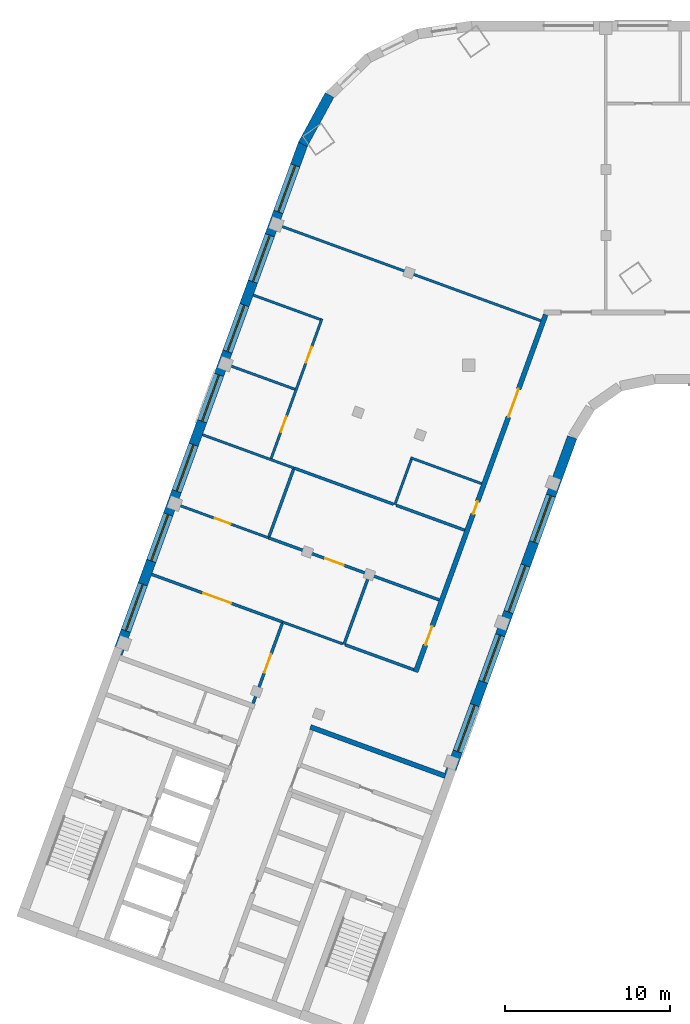
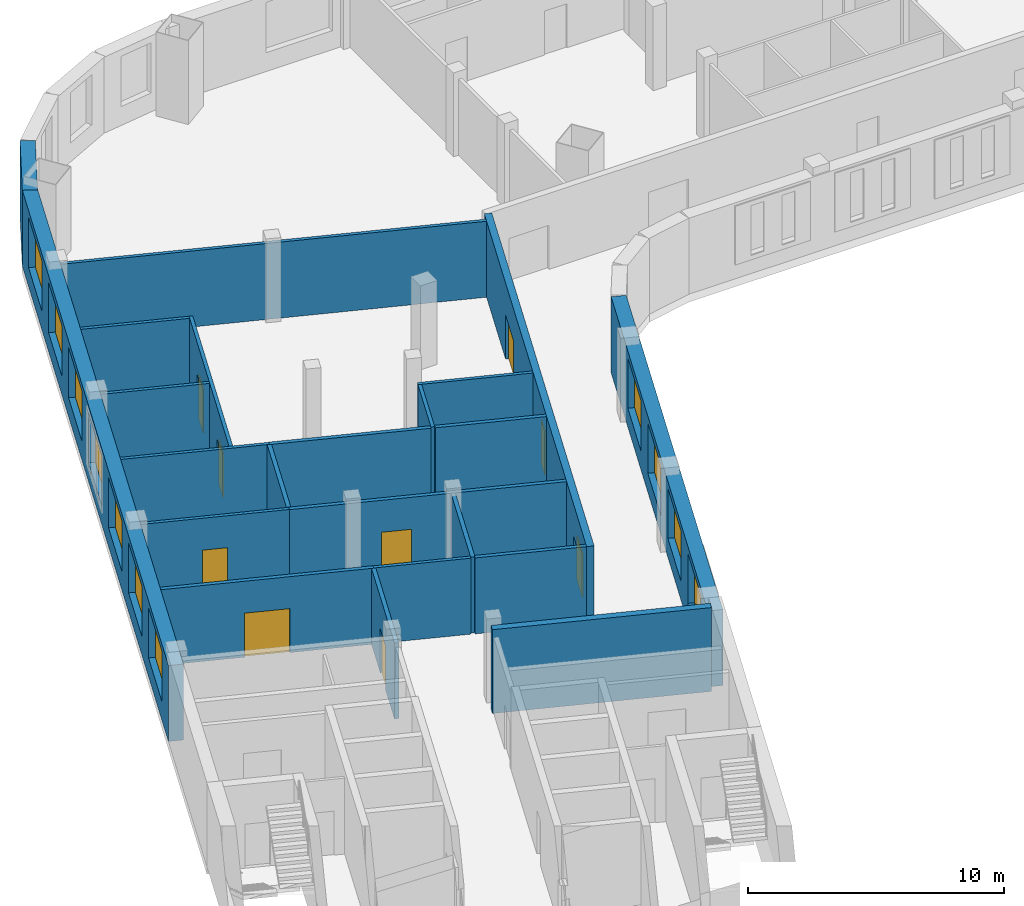
# One storey, part 3 of 8: 22 walls, 11 windows, 9 doors, 20 openings.
"""IFC4 building model written with IfcOpenShell, lengths in metres."""

from ifc_helpers import new_model, si_unit, direction, frame, frame_2d, origin, place, context, subcontext, project, spatial, rectangle, extrude, material, layer, layer_set, type_object, element, fill, save


model = new_model("IFC4")

# Units and contexts
model_context = context("Model", 3, precision=1e-05, world=origin(), true_north=direction((0.0, 1.0)))
body_context = subcontext(model_context, "Body", "Model", "MODEL_VIEW")
ifc_project = project(units=[si_unit("LENGTHUNIT", "METRE"), si_unit("AREAUNIT", "SQUARE_METRE"), si_unit("VOLUMEUNIT", "CUBIC_METRE"), si_unit("PLANEANGLEUNIT", "RADIAN"), si_unit("MASSUNIT", "GRAM", prefix="KILO")], contexts=[model_context])

# Site, building, storey
site_placement = place(None, origin())
site = spatial("IfcSite", under=ifc_project, at=site_placement, CompositionType="ELEMENT")
building_placement = place(site_placement, origin())
building = spatial("IfcBuilding", under=site, at=building_placement, Name="Skarvind Civic Tower", CompositionType="ELEMENT")
storey_placement = place(building_placement, frame((0.0, 0.0, 208.0)))
storey = spatial("IfcBuildingStorey", under=building, at=storey_placement, Name="L49", CompositionType="ELEMENT", Elevation=208.0)

# Wall, opening, door
ifc_material_1 = material(Name="Acoustic gypsum board on steel studs", Category="steel")
ifc_layer_1 = layer(ifc_material_1, 0.175048828125)
ifc_layer_set_1 = layer_set([ifc_layer_1], Name="ACOUSTIC MEETING-ROOM PARTITION 175")
wall_type_1 = type_object("IfcWallType", Name="ACOUSTIC MEETING-ROOM PARTITION 175", PredefinedType="PARTITIONING", material=ifc_layer_set_1)
wall_1_placement = place(storey_placement, frame((34.677001953125, 102.590087890625, 0.0), z_axis=(0.0, 0.0, 1.0), x_axis=(-0.939706509432, 0.341981982173, 0.0)))
wall_1 = element("IfcWall", 1, at=wall_1_placement, inside=storey, type_object=wall_type_1, Name="Partition 49.001", PredefinedType="PARTITIONING", context=body_context, shape_type="SweptSolid", body=[
    extrude(rectangle(XDim=8.450439453125, YDim=0.175048828125, at=frame_2d((4.22509765625, 0.0))), origin(), (0.0, 0.0, 1.0), 3.625),
])
opening_1_placement = place(wall_1_placement, frame((3.32373046875, 0.0, 0.0)))
opening_1 = element("IfcOpeningElement", 2, at=opening_1_placement, cuts=wall_1, Name="Opening L49-D017", PredefinedType="OPENING", context=body_context, shape_type="SweptSolid", body=[
    extrude(rectangle(XDim=1.800048828125, YDim=2.10009765625, at=frame_2d((0.89990234375, 1.050048828125))), frame((0.0, 0.097412109375, 0.0), z_axis=(0.0, -1.0, 0.0), x_axis=(1.0, 0.0, 0.0)), (0.0, 0.0, 1.0), 0.195068359375),
])
ifc_material_2 = material(Name="Timber door leaf", Category="wood")
door_type_1 = type_object("IfcDoorType", Name="D4 1800x2100", OperationType="NOTDEFINED", PredefinedType="DOOR", material=ifc_material_2)
door_1_placement = place(opening_1_placement, origin())
door_1 = element("IfcDoor", 3, at=door_1_placement, inside=storey, type_object=door_type_1, Name="Door L49-D017", OperationType="DOUBLE_DOOR_SINGLE_SWING", OverallHeight=2.10009765625, OverallWidth=1.800048828125, PredefinedType="DOOR", context=body_context, shape_type="SweptSolid", body=[
    extrude(rectangle(XDim=1.800048828125, YDim=2.10009765625, at=frame_2d((0.89990234375, 1.050048828125))), frame((0.0, 0.02490234375, 0.0), z_axis=(0.0, -1.0, 0.0), x_axis=(1.0, 0.0, 0.0)), (0.0, 0.0, 1.0), 0.050048828125),
])
fill(opening_1, door_1)

wall_2_placement = place(storey_placement, frame((44.156005859375, 103.928955078125, 0.0), z_axis=(0.0, 0.0, 1.0), x_axis=(-0.939703317948, 0.341990751683, 0.0)))
wall_2 = element("IfcWall", 4, at=wall_2_placement, inside=storey, type_object=wall_type_1, Name="Partition 49.006", PredefinedType="PARTITIONING", context=body_context, shape_type="SweptSolid", body=[
    extrude(rectangle(XDim=11.000244140625, YDim=0.175048828125, at=frame_2d((5.5, 0.0))), origin(), (0.0, 0.0, 1.0), 3.625),
])
opening_2_placement = place(wall_2_placement, frame((6.148681640625, 0.0, 0.0)))
opening_2 = element("IfcOpeningElement", 5, at=opening_2_placement, cuts=wall_2, Name="Opening L49-D023", PredefinedType="OPENING", context=body_context, shape_type="SweptSolid", body=[
    extrude(rectangle(XDim=1.199951171875, YDim=2.10009765625, at=frame_2d((0.60009765625, 1.050048828125))), frame((0.0, 0.097412109375, 0.0), z_axis=(0.0, -1.0, 0.0), x_axis=(1.0, 0.0, 0.0)), (0.0, 0.0, 1.0), 0.195068359375),
])
door_type_2 = type_object("IfcDoorType", Name="DOOR 1200X2100 DOUBLE TIMBER", OperationType="NOTDEFINED", PredefinedType="DOOR", material=ifc_material_2)
door_2_placement = place(opening_2_placement, origin())
door_2 = element("IfcDoor", 6, at=door_2_placement, inside=storey, type_object=door_type_2, Name="Door L49-D023", OperationType="DOUBLE_DOOR_SINGLE_SWING", OverallHeight=2.10009765625, OverallWidth=1.199951171875, PredefinedType="DOOR", context=body_context, shape_type="SweptSolid", body=[
    extrude(rectangle(XDim=1.199951171875, YDim=2.10009765625, at=frame_2d((0.60009765625, 1.050048828125))), frame((0.0, 0.02490234375, 0.0), z_axis=(0.0, -1.0, 0.0), x_axis=(1.0, 0.0, 0.0)), (0.0, 0.0, 1.0), 0.050048828125),
])
fill(opening_2, door_2)

wall_3_placement = place(storey_placement, frame((32.881103515625, 97.656982421875, 0.0), z_axis=(0.0, 0.0, 1.0), x_axis=(0.342058204353, 0.939678766832, 0.0)))
wall_3 = element("IfcWall", 7, at=wall_3_placement, inside=storey, type_object=wall_type_1, Name="Partition 49.008", PredefinedType="PARTITIONING", context=body_context, shape_type="SweptSolid", body=[
    extrude(rectangle(XDim=5.16259765625, YDim=0.175048828125, at=frame_2d((2.581298828125, 0.0))), origin(), (0.0, 0.0, 1.0), 3.625),
])
opening_3_placement = place(wall_3_placement, frame((1.9912109375, 0.0, 0.0)))
opening_3 = element("IfcOpeningElement", 8, at=opening_3_placement, cuts=wall_3, Name="Opening L49-D014", PredefinedType="OPENING", context=body_context, shape_type="SweptSolid", body=[
    extrude(rectangle(XDim=1.199951171875, YDim=2.10009765625, at=frame_2d((0.60009765625, 1.050048828125))), frame((0.0, 0.097412109375, 0.0), z_axis=(0.0, -1.0, 0.0), x_axis=(1.0, 0.0, 0.0)), (0.0, 0.0, 1.0), 0.195068359375),
])
door_3_placement = place(opening_3_placement, origin())
door_3 = element("IfcDoor", 9, at=door_3_placement, inside=storey, type_object=door_type_2, Name="Door L49-D014", OperationType="DOUBLE_DOOR_SINGLE_SWING", OverallHeight=2.10009765625, OverallWidth=1.199951171875, PredefinedType="DOOR", context=body_context, shape_type="SweptSolid", body=[
    extrude(rectangle(XDim=1.199951171875, YDim=2.10009765625, at=frame_2d((0.60009765625, 1.050048828125))), frame((0.0, 0.02490234375, 0.0), z_axis=(0.0, -1.0, 0.0), x_axis=(1.0, 0.0, 0.0)), (0.0, 0.0, 1.0), 0.050048828125),
])
fill(opening_3, door_3)

# Walls
wall_4_placement = place(storey_placement, frame((35.3291015625, 111.837890625, 0.0), z_axis=(0.0, 0.0, 1.0), x_axis=(-0.342114607243, -0.939658233355, 0.0)))
element("IfcWall", 10, at=wall_4_placement, inside=storey, type_object=wall_type_1, Name="Partition 49.010", PredefinedType="PARTITIONING", context=body_context, shape_type="SweptSolid", body=[
    extrude(rectangle(XDim=4.325927734375, YDim=0.175048828125, at=frame_2d((2.1630859375, 0.0))), origin(), (0.0, 0.0, 1.0), 3.625),
])
wall_5_placement = place(storey_placement, frame((38.455078125, 101.214111328125, 0.0), z_axis=(0.0, 0.0, 1.0), x_axis=(0.939738687483, -0.341893549585, 0.0)))
element("IfcWall", 11, at=wall_5_placement, inside=storey, type_object=wall_type_1, Name="Partition 49.012", PredefinedType="PARTITIONING", context=body_context, shape_type="SweptSolid", body=[
    extrude(rectangle(XDim=4.4287109375, YDim=0.175048828125, at=frame_2d((2.21435546875, 0.0))), origin(), (0.0, 0.0, 1.0), 3.625),
])
wall_6_placement = place(storey_placement, frame((39.89697265625, 105.385986328125, 0.0), z_axis=(0.0, 0.0, 1.0), x_axis=(-0.341951828534, -0.939717482524, 0.0)))
element("IfcWall", 12, at=wall_6_placement, inside=storey, type_object=wall_type_1, Name="Partition 49.013", PredefinedType="PARTITIONING", context=body_context, shape_type="SweptSolid", body=[
    extrude(rectangle(XDim=4.4130859375, YDim=0.175048828125, at=frame_2d((2.20654296875, 0.0))), origin(), (0.0, 0.0, 1.0), 3.625),
])
wall_7_placement = place(storey_placement, frame((41.5458984375, 109.6669921875, 0.0), z_axis=(0.0, 0.0, 1.0), x_axis=(0.939704600082, -0.341987228685, 0.0)))
element("IfcWall", 13, at=wall_7_placement, inside=storey, type_object=wall_type_1, Name="Partition 49.014", PredefinedType="PARTITIONING", context=body_context, shape_type="SweptSolid", body=[
    extrude(rectangle(XDim=4.415283203125, YDim=0.175048828125, at=frame_2d((2.20751953125, 0.0))), origin(), (0.0, 0.0, 1.0), 3.625),
])
wall_8_placement = place(storey_placement, frame((41.387939453125, 109.72607421875, 0.0), z_axis=(0.0, 0.0, 1.0), x_axis=(-0.939720073348, 0.341944708609, 0.0)))
element("IfcWall", 14, at=wall_8_placement, inside=storey, type_object=wall_type_1, Name="Partition 49.015", PredefinedType="PARTITIONING", context=body_context, shape_type="SweptSolid", body=[
    extrude(rectangle(XDim=6.415771484375, YDim=0.175048828125, at=frame_2d((3.2080078125, 0.0))), origin(), (0.0, 0.0, 1.0), 3.625),
])

# Wall, openings, doors
ifc_material_3 = material(Name="Fire-rated gypsum board on steel studs", Category="steel")
ifc_layer_2 = layer(ifc_material_3, 0.300048828125)
ifc_layer_set_2 = layer_set([ifc_layer_2], Name="CORRIDOR WALL 300")
wall_type_2 = type_object("IfcWallType", Name="CORRIDOR WALL 300", PredefinedType="PARTITIONING", material=ifc_layer_set_2)
wall_9_placement = place(storey_placement, frame((42.72802734375, 99.56689453125, 0.0), z_axis=(0.0, 0.0, 1.0), x_axis=(0.342015412648, 0.939694342598, 0.0)))
wall_9 = element("IfcWall", 15, at=wall_9_placement, inside=storey, type_object=wall_type_2, Name="Partition 49.017", PredefinedType="PARTITIONING", context=body_context, shape_type="SweptSolid", body=[
    extrude(rectangle(XDim=23.031005859375, YDim=0.300048828125, at=frame_2d((11.515625, 0.0))), origin(), (0.0, 0.0, 1.0), 3.625),
])
opening_4_placement = place(wall_9_placement, frame((1.737548828125, 0.0, 0.0)))
opening_4 = element("IfcOpeningElement", 16, at=opening_4_placement, cuts=wall_9, Name="Opening L49-D015", PredefinedType="OPENING", context=body_context, shape_type="SweptSolid", body=[
    extrude(rectangle(XDim=1.199951171875, YDim=2.10009765625, at=frame_2d((0.60009765625, 1.050048828125))), frame((0.0, 0.159912109375, 0.0), z_axis=(0.0, -1.0, 0.0), x_axis=(1.0, 0.0, 0.0)), (0.0, 0.0, 1.0), 0.320068359375),
])
opening_5_placement = place(wall_9_placement, frame((10.18701171875, 0.0, 0.0)))
opening_5 = element("IfcOpeningElement", 17, at=opening_5_placement, cuts=wall_9, Name="Opening L49-D018", PredefinedType="OPENING", context=body_context, shape_type="SweptSolid", body=[
    extrude(rectangle(XDim=0.800048828125, YDim=2.10009765625, at=frame_2d((0.39990234375, 1.050048828125))), frame((0.0, 0.159912109375, 0.0), z_axis=(0.0, -1.0, 0.0), x_axis=(1.0, 0.0, 0.0)), (0.0, 0.0, 1.0), 0.320068359375),
])
opening_6_placement = place(wall_9_placement, frame((16.43701171875, 0.0, 0.0)))
opening_6 = element("IfcOpeningElement", 18, at=opening_6_placement, cuts=wall_9, Name="Opening L49-D021", PredefinedType="OPENING", context=body_context, shape_type="SweptSolid", body=[
    extrude(rectangle(XDim=1.800048828125, YDim=2.10009765625, at=frame_2d((0.89990234375, 1.050048828125))), frame((0.0, 0.159912109375, 0.0), z_axis=(0.0, -1.0, 0.0), x_axis=(1.0, 0.0, 0.0)), (0.0, 0.0, 1.0), 0.320068359375),
])
ifc_material_4 = material(Name="Fire-rated timber door leaf", Category="wood")
door_type_3 = type_object("IfcDoorType", Name="FD4 1800x2100", OperationType="NOTDEFINED", PredefinedType="DOOR", material=ifc_material_4)
door_4_placement = place(opening_6_placement, origin())
door_4 = element("IfcDoor", 19, at=door_4_placement, inside=storey, type_object=door_type_3, Name="Door L49-D021", OperationType="DOUBLE_DOOR_SINGLE_SWING", OverallHeight=2.10009765625, OverallWidth=1.800048828125, PredefinedType="DOOR", context=body_context, shape_type="SweptSolid", body=[
    extrude(rectangle(XDim=1.800048828125, YDim=2.10009765625, at=frame_2d((0.89990234375, 1.050048828125))), frame((0.0, 0.02490234375, 0.0), z_axis=(0.0, -1.0, 0.0), x_axis=(1.0, 0.0, 0.0)), (0.0, 0.0, 1.0), 0.050048828125),
])
fill(opening_6, door_4)
door_type_4 = type_object("IfcDoorType", Name="FD5 800x2100", OperationType="NOTDEFINED", PredefinedType="DOOR", material=ifc_material_4)
door_5_placement = place(opening_5_placement, origin())
door_5 = element("IfcDoor", 20, at=door_5_placement, inside=storey, type_object=door_type_4, Name="Door L49-D018", OperationType="SINGLE_SWING_LEFT", OverallHeight=2.10009765625, OverallWidth=0.800048828125, PredefinedType="DOOR", context=body_context, shape_type="SweptSolid", body=[
    extrude(rectangle(XDim=0.800048828125, YDim=2.10009765625, at=frame_2d((0.39990234375, 1.050048828125))), frame((0.0, 0.02490234375, 0.0), z_axis=(0.0, -1.0, 0.0), x_axis=(1.0, 0.0, 0.0)), (0.0, 0.0, 1.0), 0.050048828125),
])
fill(opening_5, door_5)
door_type_5 = type_object("IfcDoorType", Name="FD6 1200x2100 DOUBLE", OperationType="NOTDEFINED", PredefinedType="DOOR", material=ifc_material_4)
door_6_placement = place(opening_4_placement, origin())
door_6 = element("IfcDoor", 21, at=door_6_placement, inside=storey, type_object=door_type_5, Name="Door L49-D015", OperationType="DOUBLE_DOOR_SINGLE_SWING", OverallHeight=2.10009765625, OverallWidth=1.199951171875, PredefinedType="DOOR", context=body_context, shape_type="SweptSolid", body=[
    extrude(rectangle(XDim=1.199951171875, YDim=2.10009765625, at=frame_2d((0.60009765625, 1.050048828125))), frame((0.0, 0.02490234375, 0.0), z_axis=(0.0, -1.0, 0.0), x_axis=(1.0, 0.0, 0.0)), (0.0, 0.0, 1.0), 0.050048828125),
])
fill(opening_4, door_6)

# Walls
ifc_material_5 = material(Name="Concrete C60", Category="concrete")
ifc_layer_3 = layer(ifc_material_5, 0.300048828125)
ifc_layer_set_3 = layer_set([ifc_layer_3], Name="Core wall 300 C60")
wall_type_3 = type_object("IfcWallType", Name="Core wall 300 C60", PredefinedType="SHEAR", material=ifc_layer_set_3)
wall_10_placement = place(storey_placement, frame((44.52880859375, 93.258056640625, 0.0), z_axis=(0.0, 0.0, 1.0), x_axis=(-0.9396917844, 0.342022441267, 0.0)))
element("IfcWall", 22, at=wall_10_placement, inside=storey, type_object=wall_type_3, Name="Core wall C2 south inner face L49", PredefinedType="SHEAR", context=body_context, shape_type="SweptSolid", body=[
    extrude(rectangle(XDim=8.699951171875, YDim=0.300048828125, at=frame_2d((4.35009765625, 0.0))), origin(), (0.0, 0.0, 1.0), 4.0),
])
ifc_material_6 = material(Name="Plasterboard partition on steel studs", Category="steel")
ifc_layer_4 = layer(ifc_material_6, 0.14990234375)
ifc_layer_set_4 = layer_set([ifc_layer_4], Name="PARTITION 150")
wall_type_4 = type_object("IfcWallType", Name="PARTITION 150", PredefinedType="PARTITIONING", material=ifc_layer_set_4)
wall_11_placement = place(storey_placement, frame((29.81396484375, 113.93798828125, 0.0), z_axis=(0.0, 0.0, 1.0), x_axis=(0.939699162475, -0.342002169647, 0.0)))
element("IfcWall", 23, at=wall_11_placement, inside=storey, type_object=wall_type_4, Name="Partition 49.002", PredefinedType="PARTITIONING", context=body_context, shape_type="SweptSolid", body=[
    extrude(rectangle(XDim=5.900634765625, YDim=0.14990234375, at=frame_2d((2.9501953125, 0.0))), origin(), (0.0, 0.0, 1.0), 3.625),
])
wall_12_placement = place(storey_placement, frame((31.35302734375, 118.166015625, 0.0), z_axis=(0.0, 0.0, 1.0), x_axis=(0.939803311208, -0.341715870634, 0.0)))
element("IfcWall", 24, at=wall_12_placement, inside=storey, type_object=wall_type_4, Name="Partition 49.003", PredefinedType="PARTITIONING", context=body_context, shape_type="SweptSolid", body=[
    extrude(rectangle(XDim=4.3251953125, YDim=0.14990234375, at=frame_2d((2.16259765625, 0.0))), origin(), (0.0, 0.0, 1.0), 3.625),
])
wall_13_placement = place(storey_placement, frame((32.89208984375, 122.39501953125, 0.0), z_axis=(0.0, 0.0, 1.0), x_axis=(0.93973078783, -0.341915262023, 0.0)))
element("IfcWall", 25, at=wall_13_placement, inside=storey, type_object=wall_type_4, Name="Partition 49.004", PredefinedType="PARTITIONING", context=body_context, shape_type="SweptSolid", body=[
    extrude(rectangle(XDim=4.32568359375, YDim=0.14990234375, at=frame_2d((2.162841796875, 0.0))), origin(), (0.0, 0.0, 1.0), 3.625),
])

# Wall, opening, door
wall_14_placement = place(storey_placement, frame((33.819091796875, 107.69091796875, 0.0), z_axis=(0.0, 0.0, 1.0), x_axis=(-0.939684641746, 0.342042064762, 0.0)))
wall_14 = element("IfcWall", 26, at=wall_14_placement, inside=storey, type_object=wall_type_4, Name="Partition 49.005", PredefinedType="PARTITIONING", context=body_context, shape_type="SweptSolid", body=[
    extrude(rectangle(XDim=5.900146484375, YDim=0.14990234375, at=frame_2d((2.9501953125, 0.0))), origin(), (0.0, 0.0, 1.0), 3.625),
])
opening_7_placement = place(wall_14_placement, frame((2.449951171875, 0.0, 0.0)))
opening_7 = element("IfcOpeningElement", 27, at=opening_7_placement, cuts=wall_14, Name="Opening L49-D016", PredefinedType="OPENING", context=body_context, shape_type="SweptSolid", body=[
    extrude(rectangle(XDim=1.0, YDim=2.10009765625, at=frame_2d((0.5, 1.050048828125))), frame((0.0, 0.0849609375, 0.0), z_axis=(0.0, -1.0, 0.0), x_axis=(1.0, 0.0, 0.0)), (0.0, 0.0, 1.0), 0.169921875),
])
door_type_6 = type_object("IfcDoorType", Name="D1 1000x2100", OperationType="NOTDEFINED", PredefinedType="DOOR", material=ifc_material_2)
door_7_placement = place(opening_7_placement, origin())
door_7 = element("IfcDoor", 28, at=door_7_placement, inside=storey, type_object=door_type_6, Name="Door L49-D016", OperationType="SINGLE_SWING_LEFT", OverallHeight=2.10009765625, OverallWidth=1.0, PredefinedType="DOOR", context=body_context, shape_type="SweptSolid", body=[
    extrude(rectangle(XDim=1.0, YDim=2.10009765625, at=frame_2d((0.5, 1.050048828125))), frame((0.0, 0.02490234375, 0.0), z_axis=(0.0, -1.0, 0.0), x_axis=(1.0, 0.0, 0.0)), (0.0, 0.0, 1.0), 0.050048828125),
])
fill(opening_7, door_7)

# Wall
wall_15_placement = place(storey_placement, frame((34.677001953125, 102.590087890625, 0.0), z_axis=(0.0, 0.0, 1.0), x_axis=(0.939688259666, -0.342032125166, 0.0)))
element("IfcWall", 29, at=wall_15_placement, inside=storey, type_object=wall_type_4, Name="Partition 49.009", PredefinedType="PARTITIONING", context=body_context, shape_type="SweptSolid", body=[
    extrude(rectangle(XDim=3.865234375, YDim=0.14990234375, at=frame_2d((1.9326171875, 0.0))), origin(), (0.0, 0.0, 1.0), 3.625),
])

# Wall, openings, doors
wall_16_placement = place(storey_placement, frame((37.052978515625, 120.9599609375, 0.0), z_axis=(0.0, 0.0, 1.0), x_axis=(-0.341997891731, -0.939700719406, 0.0)))
wall_16 = element("IfcWall", 30, at=wall_16_placement, inside=storey, type_object=wall_type_4, Name="Partition 49.011", PredefinedType="PARTITIONING", context=body_context, shape_type="SweptSolid", body=[
    extrude(rectangle(XDim=8.999755859375, YDim=0.14990234375, at=frame_2d((4.5, 0.0))), origin(), (0.0, 0.0, 1.0), 3.625),
])
opening_8_placement = place(wall_16_placement, frame((6.297119140625, 0.0, 0.0)))
opening_8 = element("IfcOpeningElement", 31, at=opening_8_placement, cuts=wall_16, Name="Opening L49-D019", PredefinedType="OPENING", context=body_context, shape_type="SweptSolid", body=[
    extrude(rectangle(XDim=1.0, YDim=2.10009765625, at=frame_2d((0.5, 1.050048828125))), frame((0.0, 0.0849609375, 0.0), z_axis=(0.0, -1.0, 0.0), x_axis=(1.0, 0.0, 0.0)), (0.0, 0.0, 1.0), 0.169921875),
])
opening_9_placement = place(wall_16_placement, frame((1.82421875, 0.0, 0.0)))
opening_9 = element("IfcOpeningElement", 32, at=opening_9_placement, cuts=wall_16, Name="Opening L49-D020", PredefinedType="OPENING", context=body_context, shape_type="SweptSolid", body=[
    extrude(rectangle(XDim=1.0, YDim=2.10009765625, at=frame_2d((0.5, 1.050048828125))), frame((0.0, 0.0849609375, 0.0), z_axis=(0.0, -1.0, 0.0), x_axis=(1.0, 0.0, 0.0)), (0.0, 0.0, 1.0), 0.169921875),
])
door_8_placement = place(opening_8_placement, origin())
door_8 = element("IfcDoor", 33, at=door_8_placement, inside=storey, type_object=door_type_6, Name="Door L49-D019", OperationType="SINGLE_SWING_LEFT", OverallHeight=2.10009765625, OverallWidth=1.0, PredefinedType="DOOR", context=body_context, shape_type="SweptSolid", body=[
    extrude(rectangle(XDim=1.0, YDim=2.10009765625, at=frame_2d((0.5, 1.050048828125))), frame((0.0, 0.02490234375, 0.0), z_axis=(0.0, -1.0, 0.0), x_axis=(1.0, 0.0, 0.0)), (0.0, 0.0, 1.0), 0.050048828125),
])
fill(opening_8, door_8)
door_9_placement = place(opening_9_placement, origin())
door_9 = element("IfcDoor", 34, at=door_9_placement, inside=storey, type_object=door_type_6, Name="Door L49-D020", OperationType="SINGLE_SWING_LEFT", OverallHeight=2.10009765625, OverallWidth=1.0, PredefinedType="DOOR", context=body_context, shape_type="SweptSolid", body=[
    extrude(rectangle(XDim=1.0, YDim=2.10009765625, at=frame_2d((0.5, 1.050048828125))), frame((0.0, 0.02490234375, 0.0), z_axis=(0.0, -1.0, 0.0), x_axis=(1.0, 0.0, 0.0)), (0.0, 0.0, 1.0), 0.050048828125),
])
fill(opening_9, door_9)

# Walls
wall_17_placement = place(storey_placement, frame((42.467041015625, 112.446044921875, 0.0), z_axis=(0.0, 0.0, 1.0), x_axis=(-0.341850278959, -0.939754428974, 0.0)))
element("IfcWall", 35, at=wall_17_placement, inside=storey, type_object=wall_type_4, Name="Partition 49.016", PredefinedType="PARTITIONING", context=body_context, shape_type="SweptSolid", body=[
    extrude(rectangle(XDim=2.92529296875, YDim=0.14990234375, at=frame_2d((1.462646484375, 0.0))), origin(), (0.0, 0.0, 1.0), 3.625),
])
wall_18_placement = place(storey_placement, frame((46.720947265625, 110.97607421875, 0.0), z_axis=(0.0, 0.0, 1.0), x_axis=(-0.939578187104, 0.342334383781, 0.0)))
element("IfcWall", 36, at=wall_18_placement, inside=storey, type_object=wall_type_4, Name="Partition 49.018", PredefinedType="PARTITIONING", context=body_context, shape_type="SweptSolid", body=[
    extrude(rectangle(XDim=4.57421875, YDim=0.14990234375, at=frame_2d((2.287109375, 0.0))), origin(), (0.0, 0.0, 1.0), 3.625),
])
wall_19_placement = place(storey_placement, frame((50.31201171875, 120.843017578125, 0.0), z_axis=(0.0, 0.0, 1.0), x_axis=(-0.939678226331, 0.342059689177, 0.0)))
element("IfcWall", 37, at=wall_19_placement, inside=storey, type_object=wall_type_4, Name="Partition 49.019", PredefinedType="PARTITIONING", context=body_context, shape_type="SweptSolid", body=[
    extrude(rectangle(XDim=16.900634765625, YDim=0.14990234375, at=frame_2d((8.4501953125, 0.0))), origin(), (0.0, 0.0, 1.0), 3.625),
])

# Wall, openings, windows
ifc_material_7 = material(Name="Limestone masonry cladding on insulated backing", Category="masonry")
ifc_layer_5 = layer(ifc_material_7, 0.60009765625)
ifc_layer_set_5 = layer_set([ifc_layer_5], Name="WX1 STONE FACADE WALL 600")
wall_type_5 = type_object("IfcWallType", Name="WX1 STONE FACADE WALL 600", PredefinedType="SOLIDWALL", material=ifc_layer_set_5)
wall_20_placement = place(storey_placement, frame((52.212158203125, 113.78271484375, 0.0), z_axis=(0.0, 0.0, 1.0), x_axis=(-0.34202521188, -0.939690775968, 0.0)))
wall_20 = element("IfcWall", 38, at=wall_20_placement, inside=storey, type_object=wall_type_5, Name="STONE FACADE WALL", PredefinedType="SOLIDWALL", context=body_context, shape_type="SweptSolid", body=[
    extrude(rectangle(XDim=21.744873046875, YDim=0.60009765625, at=frame_2d((10.87255859375, 0.0))), origin(), (0.0, 0.0, 1.0), 3.625),
])
opening_10_placement = place(wall_20_placement, frame((3.764892578125, 0.0, 0.89990234375)))
opening_10 = element("IfcOpeningElement", 39, at=opening_10_placement, cuts=wall_20, Name="Opening WN1", PredefinedType="OPENING", context=body_context, shape_type="SweptSolid", body=[
    extrude(rectangle(XDim=3.0, YDim=2.39990234375, at=frame_2d((1.5, 1.199951171875))), frame((0.0, 0.31005859375, 0.0), z_axis=(0.0, -1.0, 0.0), x_axis=(1.0, 0.0, 0.0)), (0.0, 0.0, 1.0), 0.6201171875),
])
opening_11_placement = place(wall_20_placement, frame((8.264892578125, 0.0, 0.89990234375)))
opening_11 = element("IfcOpeningElement", 40, at=opening_11_placement, cuts=wall_20, Name="Opening WN1", PredefinedType="OPENING", context=body_context, shape_type="SweptSolid", body=[
    extrude(rectangle(XDim=3.0, YDim=2.39990234375, at=frame_2d((1.5, 1.199951171875))), frame((0.0, 0.31005859375, 0.0), z_axis=(0.0, -1.0, 0.0), x_axis=(1.0, 0.0, 0.0)), (0.0, 0.0, 1.0), 0.6201171875),
])
opening_12_placement = place(wall_20_placement, frame((12.764892578125, 0.0, 0.89990234375)))
opening_12 = element("IfcOpeningElement", 41, at=opening_12_placement, cuts=wall_20, Name="Opening WN1", PredefinedType="OPENING", context=body_context, shape_type="SweptSolid", body=[
    extrude(rectangle(XDim=3.0, YDim=2.39990234375, at=frame_2d((1.5, 1.199951171875))), frame((0.0, 0.31005859375, 0.0), z_axis=(0.0, -1.0, 0.0), x_axis=(1.0, 0.0, 0.0)), (0.0, 0.0, 1.0), 0.6201171875),
])
opening_13_placement = place(wall_20_placement, frame((17.264892578125, 0.0, 0.89990234375)))
opening_13 = element("IfcOpeningElement", 42, at=opening_13_placement, cuts=wall_20, Name="Opening WN1", PredefinedType="OPENING", context=body_context, shape_type="SweptSolid", body=[
    extrude(rectangle(XDim=3.0, YDim=2.39990234375, at=frame_2d((1.5, 1.199951171875))), frame((0.0, 0.31005859375, 0.0), z_axis=(0.0, -1.0, 0.0), x_axis=(1.0, 0.0, 0.0)), (0.0, 0.0, 1.0), 0.6201171875),
])
ifc_material_8 = material(Name="Timber frame, double glazing, timber-lined reveal", Category="wood")
window_type = type_object("IfcWindowType", Name="WN1 PUNCHED STONE WINDOW 3000 x 2400", PartitioningType="SINGLE_PANEL", PredefinedType="WINDOW", material=ifc_material_8)
window_1_placement = place(opening_10_placement, origin())
window_1 = element("IfcWindow", 43, at=window_1_placement, inside=storey, type_object=window_type, Name="WN1 WINDOW", OverallHeight=2.39990234375, OverallWidth=3.0, PartitioningType="SINGLE_PANEL", PredefinedType="WINDOW", context=body_context, shape_type="SweptSolid", body=[
    extrude(rectangle(XDim=3.0, YDim=2.39990234375, at=frame_2d((1.5, 1.199951171875))), frame((0.0, 0.030029296875, 0.0), z_axis=(0.0, -1.0, 0.0), x_axis=(1.0, 0.0, 0.0)), (0.0, 0.0, 1.0), 0.06005859375),
])
fill(opening_10, window_1)
window_2_placement = place(opening_11_placement, origin())
window_2 = element("IfcWindow", 44, at=window_2_placement, inside=storey, type_object=window_type, Name="WN1 WINDOW", OverallHeight=2.39990234375, OverallWidth=3.0, PartitioningType="SINGLE_PANEL", PredefinedType="WINDOW", context=body_context, shape_type="SweptSolid", body=[
    extrude(rectangle(XDim=3.0, YDim=2.39990234375, at=frame_2d((1.5, 1.199951171875))), frame((0.0, 0.030029296875, 0.0), z_axis=(0.0, -1.0, 0.0), x_axis=(1.0, 0.0, 0.0)), (0.0, 0.0, 1.0), 0.06005859375),
])
fill(opening_11, window_2)
window_3_placement = place(opening_12_placement, origin())
window_3 = element("IfcWindow", 45, at=window_3_placement, inside=storey, type_object=window_type, Name="WN1 WINDOW", OverallHeight=2.39990234375, OverallWidth=3.0, PartitioningType="SINGLE_PANEL", PredefinedType="WINDOW", context=body_context, shape_type="SweptSolid", body=[
    extrude(rectangle(XDim=3.0, YDim=2.39990234375, at=frame_2d((1.5, 1.199951171875))), frame((0.0, 0.030029296875, 0.0), z_axis=(0.0, -1.0, 0.0), x_axis=(1.0, 0.0, 0.0)), (0.0, 0.0, 1.0), 0.06005859375),
])
fill(opening_12, window_3)
window_4_placement = place(opening_13_placement, origin())
window_4 = element("IfcWindow", 46, at=window_4_placement, inside=storey, type_object=window_type, Name="WN1 WINDOW", OverallHeight=2.39990234375, OverallWidth=3.0, PartitioningType="SINGLE_PANEL", PredefinedType="WINDOW", context=body_context, shape_type="SweptSolid", body=[
    extrude(rectangle(XDim=3.0, YDim=2.39990234375, at=frame_2d((1.5, 1.199951171875))), frame((0.0, 0.030029296875, 0.0), z_axis=(0.0, -1.0, 0.0), x_axis=(1.0, 0.0, 0.0)), (0.0, 0.0, 1.0), 0.06005859375),
])
fill(opening_13, window_4)

# Wall
wall_21_placement = place(storey_placement, frame((35.89453125, 131.529541015625, 0.0), z_axis=(0.0, 0.0, 1.0), x_axis=(0.476531180538, 0.879157570618, 0.0)))
element("IfcWall", 47, at=wall_21_placement, inside=storey, type_object=wall_type_5, Name="STONE FACADE WALL", PredefinedType="SOLIDWALL", context=body_context, shape_type="SweptSolid", body=[
    extrude(rectangle(XDim=3.392578125, YDim=0.60009765625, at=frame_2d((1.6962890625, 0.0))), origin(), (0.0, 0.0, 1.0), 3.625),
])

# Wall, openings, windows
wall_22_placement = place(storey_placement, frame((24.66552734375, 100.668701171875, 0.0), z_axis=(0.0, 0.0, 1.0), x_axis=(0.34201964167, 0.939692803373, 0.0)))
wall_22 = element("IfcWall", 48, at=wall_22_placement, inside=storey, type_object=wall_type_5, Name="STONE FACADE WALL", PredefinedType="SOLIDWALL", context=body_context, shape_type="SweptSolid", body=[
    extrude(rectangle(XDim=32.88427734375, YDim=0.60009765625, at=frame_2d((16.442138671875, 0.0))), origin(), (0.0, 0.0, 1.0), 3.625),
])
opening_14_placement = place(wall_22_placement, frame((1.47998046875, 0.0, 0.89990234375)))
opening_14 = element("IfcOpeningElement", 49, at=opening_14_placement, cuts=wall_22, Name="Opening WN1", PredefinedType="OPENING", context=body_context, shape_type="SweptSolid", body=[
    extrude(rectangle(XDim=3.0, YDim=2.39990234375, at=frame_2d((1.5, 1.199951171875))), frame((0.0, 0.31005859375, 0.0), z_axis=(0.0, -1.0, 0.0), x_axis=(1.0, 0.0, 0.0)), (0.0, 0.0, 1.0), 0.6201171875),
])
opening_15_placement = place(wall_22_placement, frame((5.97998046875, 0.0, 0.89990234375)))
opening_15 = element("IfcOpeningElement", 50, at=opening_15_placement, cuts=wall_22, Name="Opening WN1", PredefinedType="OPENING", context=body_context, shape_type="SweptSolid", body=[
    extrude(rectangle(XDim=3.0, YDim=2.39990234375, at=frame_2d((1.5, 1.199951171875))), frame((0.0, 0.31005859375, 0.0), z_axis=(0.0, -1.0, 0.0), x_axis=(1.0, 0.0, 0.0)), (0.0, 0.0, 1.0), 0.6201171875),
])
opening_16_placement = place(wall_22_placement, frame((10.47998046875, 0.0, 0.89990234375)))
opening_16 = element("IfcOpeningElement", 51, at=opening_16_placement, cuts=wall_22, Name="Opening WN1", PredefinedType="OPENING", context=body_context, shape_type="SweptSolid", body=[
    extrude(rectangle(XDim=3.0, YDim=2.39990234375, at=frame_2d((1.5, 1.199951171875))), frame((0.0, 0.31005859375, 0.0), z_axis=(0.0, -1.0, 0.0), x_axis=(1.0, 0.0, 0.0)), (0.0, 0.0, 1.0), 0.6201171875),
])
opening_17_placement = place(wall_22_placement, frame((14.97998046875, 0.0, 0.89990234375)))
opening_17 = element("IfcOpeningElement", 52, at=opening_17_placement, cuts=wall_22, Name="Opening WN1", PredefinedType="OPENING", context=body_context, shape_type="SweptSolid", body=[
    extrude(rectangle(XDim=3.0, YDim=2.39990234375, at=frame_2d((1.5, 1.199951171875))), frame((0.0, 0.31005859375, 0.0), z_axis=(0.0, -1.0, 0.0), x_axis=(1.0, 0.0, 0.0)), (0.0, 0.0, 1.0), 0.6201171875),
])
opening_18_placement = place(wall_22_placement, frame((19.47998046875, 0.0, 0.89990234375)))
opening_18 = element("IfcOpeningElement", 53, at=opening_18_placement, cuts=wall_22, Name="Opening WN1", PredefinedType="OPENING", context=body_context, shape_type="SweptSolid", body=[
    extrude(rectangle(XDim=3.0, YDim=2.39990234375, at=frame_2d((1.5, 1.199951171875))), frame((0.0, 0.31005859375, 0.0), z_axis=(0.0, -1.0, 0.0), x_axis=(1.0, 0.0, 0.0)), (0.0, 0.0, 1.0), 0.6201171875),
])
opening_19_placement = place(wall_22_placement, frame((23.97998046875, 0.0, 0.89990234375)))
opening_19 = element("IfcOpeningElement", 54, at=opening_19_placement, cuts=wall_22, Name="Opening WN1", PredefinedType="OPENING", context=body_context, shape_type="SweptSolid", body=[
    extrude(rectangle(XDim=3.0, YDim=2.39990234375, at=frame_2d((1.5, 1.199951171875))), frame((0.0, 0.31005859375, 0.0), z_axis=(0.0, -1.0, 0.0), x_axis=(1.0, 0.0, 0.0)), (0.0, 0.0, 1.0), 0.6201171875),
])
opening_20_placement = place(wall_22_placement, frame((28.47998046875, 0.0, 0.89990234375)))
opening_20 = element("IfcOpeningElement", 55, at=opening_20_placement, cuts=wall_22, Name="Opening WN1", PredefinedType="OPENING", context=body_context, shape_type="SweptSolid", body=[
    extrude(rectangle(XDim=3.0, YDim=2.39990234375, at=frame_2d((1.5, 1.199951171875))), frame((0.0, 0.31005859375, 0.0), z_axis=(0.0, -1.0, 0.0), x_axis=(1.0, 0.0, 0.0)), (0.0, 0.0, 1.0), 0.6201171875),
])
window_5_placement = place(opening_14_placement, origin())
window_5 = element("IfcWindow", 56, at=window_5_placement, inside=storey, type_object=window_type, Name="WN1 WINDOW", OverallHeight=2.39990234375, OverallWidth=3.0, PartitioningType="SINGLE_PANEL", PredefinedType="WINDOW", context=body_context, shape_type="SweptSolid", body=[
    extrude(rectangle(XDim=3.0, YDim=2.39990234375, at=frame_2d((1.5, 1.199951171875))), frame((0.0, 0.030029296875, 0.0), z_axis=(0.0, -1.0, 0.0), x_axis=(1.0, 0.0, 0.0)), (0.0, 0.0, 1.0), 0.06005859375),
])
fill(opening_14, window_5)
window_6_placement = place(opening_15_placement, origin())
window_6 = element("IfcWindow", 57, at=window_6_placement, inside=storey, type_object=window_type, Name="WN1 WINDOW", OverallHeight=2.39990234375, OverallWidth=3.0, PartitioningType="SINGLE_PANEL", PredefinedType="WINDOW", context=body_context, shape_type="SweptSolid", body=[
    extrude(rectangle(XDim=3.0, YDim=2.39990234375, at=frame_2d((1.5, 1.199951171875))), frame((0.0, 0.030029296875, 0.0), z_axis=(0.0, -1.0, 0.0), x_axis=(1.0, 0.0, 0.0)), (0.0, 0.0, 1.0), 0.06005859375),
])
fill(opening_15, window_6)
window_7_placement = place(opening_16_placement, origin())
window_7 = element("IfcWindow", 58, at=window_7_placement, inside=storey, type_object=window_type, Name="WN1 WINDOW", OverallHeight=2.39990234375, OverallWidth=3.0, PartitioningType="SINGLE_PANEL", PredefinedType="WINDOW", context=body_context, shape_type="SweptSolid", body=[
    extrude(rectangle(XDim=3.0, YDim=2.39990234375, at=frame_2d((1.5, 1.199951171875))), frame((0.0, 0.030029296875, 0.0), z_axis=(0.0, -1.0, 0.0), x_axis=(1.0, 0.0, 0.0)), (0.0, 0.0, 1.0), 0.06005859375),
])
fill(opening_16, window_7)
window_8_placement = place(opening_17_placement, origin())
window_8 = element("IfcWindow", 59, at=window_8_placement, inside=storey, type_object=window_type, Name="WN1 WINDOW", OverallHeight=2.39990234375, OverallWidth=3.0, PartitioningType="SINGLE_PANEL", PredefinedType="WINDOW", context=body_context, shape_type="SweptSolid", body=[
    extrude(rectangle(XDim=3.0, YDim=2.39990234375, at=frame_2d((1.5, 1.199951171875))), frame((0.0, 0.030029296875, 0.0), z_axis=(0.0, -1.0, 0.0), x_axis=(1.0, 0.0, 0.0)), (0.0, 0.0, 1.0), 0.06005859375),
])
fill(opening_17, window_8)
window_9_placement = place(opening_18_placement, origin())
window_9 = element("IfcWindow", 60, at=window_9_placement, inside=storey, type_object=window_type, Name="WN1 WINDOW", OverallHeight=2.39990234375, OverallWidth=3.0, PartitioningType="SINGLE_PANEL", PredefinedType="WINDOW", context=body_context, shape_type="SweptSolid", body=[
    extrude(rectangle(XDim=3.0, YDim=2.39990234375, at=frame_2d((1.5, 1.199951171875))), frame((0.0, 0.030029296875, 0.0), z_axis=(0.0, -1.0, 0.0), x_axis=(1.0, 0.0, 0.0)), (0.0, 0.0, 1.0), 0.06005859375),
])
fill(opening_18, window_9)
window_10_placement = place(opening_19_placement, origin())
window_10 = element("IfcWindow", 61, at=window_10_placement, inside=storey, type_object=window_type, Name="WN1 WINDOW", OverallHeight=2.39990234375, OverallWidth=3.0, PartitioningType="SINGLE_PANEL", PredefinedType="WINDOW", context=body_context, shape_type="SweptSolid", body=[
    extrude(rectangle(XDim=3.0, YDim=2.39990234375, at=frame_2d((1.5, 1.199951171875))), frame((0.0, 0.030029296875, 0.0), z_axis=(0.0, -1.0, 0.0), x_axis=(1.0, 0.0, 0.0)), (0.0, 0.0, 1.0), 0.06005859375),
])
fill(opening_19, window_10)
window_11_placement = place(opening_20_placement, origin())
window_11 = element("IfcWindow", 62, at=window_11_placement, inside=storey, type_object=window_type, Name="WN1 WINDOW", OverallHeight=2.39990234375, OverallWidth=3.0, PartitioningType="SINGLE_PANEL", PredefinedType="WINDOW", context=body_context, shape_type="SweptSolid", body=[
    extrude(rectangle(XDim=3.0, YDim=2.39990234375, at=frame_2d((1.5, 1.199951171875))), frame((0.0, 0.030029296875, 0.0), z_axis=(0.0, -1.0, 0.0), x_axis=(1.0, 0.0, 0.0)), (0.0, 0.0, 1.0), 0.06005859375),
])
fill(opening_20, window_11)

save(model, "model.ifc")
